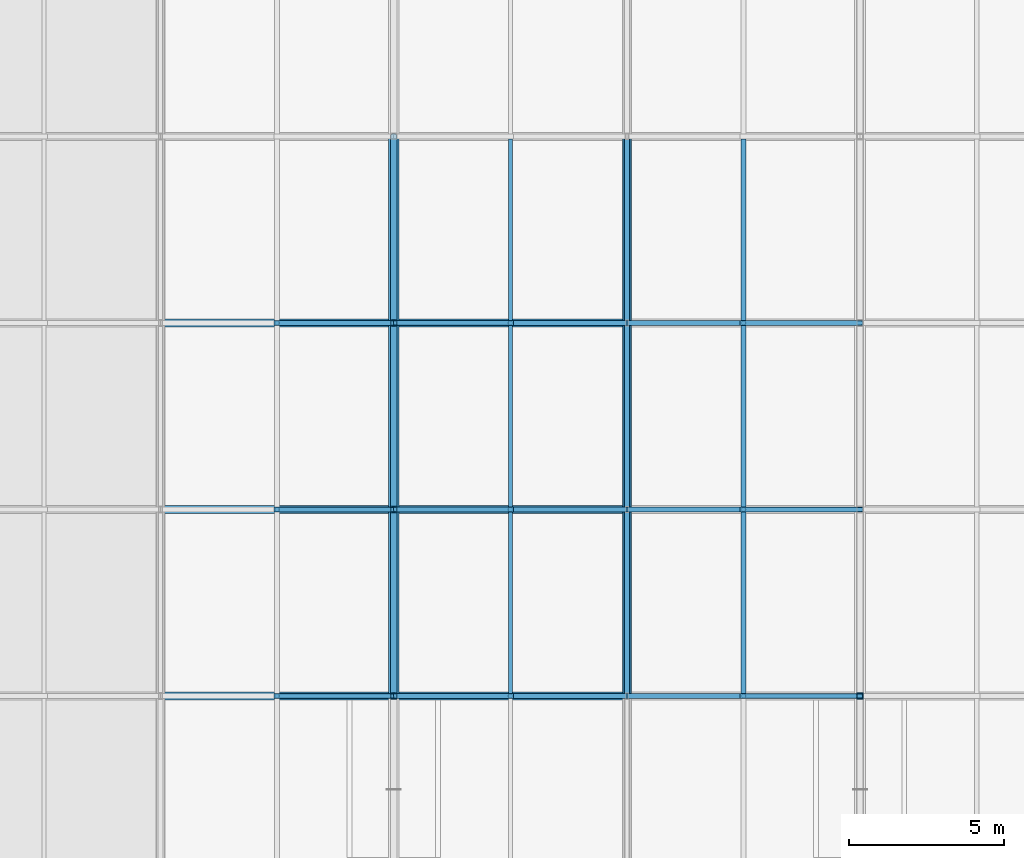
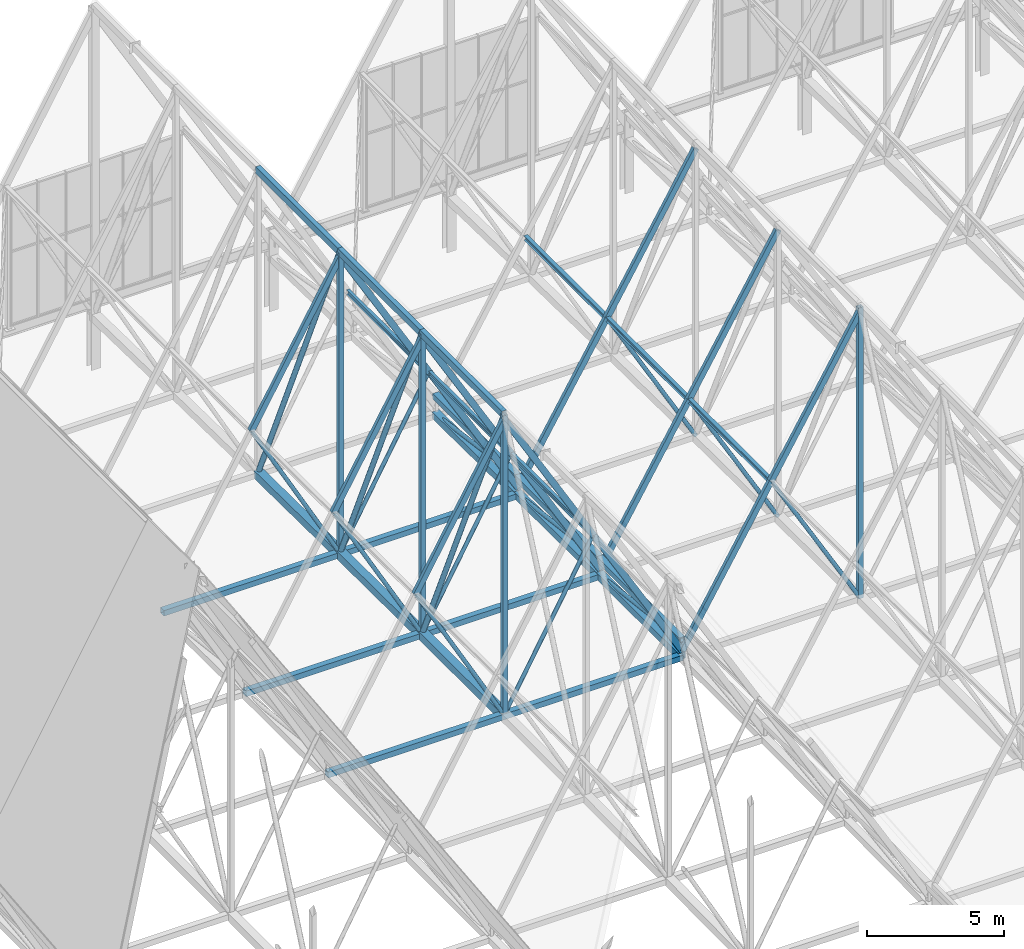
# One storey, part 159 of 324: 49 members, 6 beams.
"""IFC4 building model written with IfcOpenShell, lengths in metres."""

from ifc_helpers import new_model, si_unit, direction, frame, origin, origin_2d, place, context, subcontext, project, spatial, hollow_rectangle, hollow_circle, i_section, extrude, material, material_profile, profile_set, type_object, element, save


model = new_model("IFC4")

# Units and contexts
model_context = context("Model", 3, precision=1e-05, world=origin(), true_north=direction((0.0, 1.0)))
body_context = subcontext(model_context, "Body", "Model", "MODEL_VIEW")
ifc_project = project(units=[si_unit("LENGTHUNIT", "METRE"), si_unit("AREAUNIT", "SQUARE_METRE"), si_unit("VOLUMEUNIT", "CUBIC_METRE"), si_unit("PLANEANGLEUNIT", "RADIAN"), si_unit("MASSUNIT", "GRAM", prefix="KILO")], contexts=[model_context])

# Site, building, storey
site_placement = place(None, origin())
site = spatial("IfcSite", under=ifc_project, at=site_placement, CompositionType="ELEMENT")
building_placement = place(site_placement, origin())
building = spatial("IfcBuilding", under=site, at=building_placement, Name="Solvenia Promenade Tram Depot", CompositionType="ELEMENT")
storey_placement = place(building_placement, frame((0.0, 0.0, 4.5)))
storey = spatial("IfcBuildingStorey", under=building, at=storey_placement, Name="L01", CompositionType="ELEMENT", Elevation=4.5)

# Members
ifc_material_1 = material(Name="Structural steel ASTM A500 Gr. C", Category="steel")
ifc_material_profile_1 = material_profile(ifc_material_1, hollow_circle(Radius=0.109619140625, WallThickness=0.008056640625, at=origin_2d()), Name="CHS219.1x8", Category="steel")
ifc_profile_set_1 = profile_set([ifc_material_profile_1], Name="Structural steel ASTM A500 Gr. C")
member_type_1 = type_object("IfcMemberType", Name="Brace-CHS219x8", PredefinedType="BRACE", material=ifc_profile_set_1)
member_1_placement = place(storey_placement, frame((97.5, 102.0, 2.656005859375), z_axis=(0.0, -0.40785617385, 0.913046188017), x_axis=(1.0, 0.0, 0.0)))
element("IfcMember", 1, at=member_1_placement, inside=storey, type_object=member_type_1, Name="Arched Truss T14 Web Diagonal S06", PredefinedType="BRACE", context=body_context, shape_type="SweptSolid", body=[
    extrude(hollow_circle(Radius=0.109619140625, WallThickness=0.008056640625, at=origin_2d()), origin(), (0.0, 0.0, 1.0), 14.711181640625),
])
member_2_placement = place(storey_placement, frame((97.5, 108.0, 2.614013671875), z_axis=(0.0, -0.406795685275, 0.913519168076), x_axis=(1.0, 0.0, 0.0)))
element("IfcMember", 2, at=member_2_placement, inside=storey, type_object=member_type_1, Name="Arched Truss T14 Web Diagonal S07", PredefinedType="BRACE", context=body_context, shape_type="SweptSolid", body=[
    extrude(hollow_circle(Radius=0.109619140625, WallThickness=0.008056640625, at=origin_2d()), origin(), (0.0, 0.0, 1.0), 14.74951171875),
])
member_3_placement = place(storey_placement, frame((97.5, 114.0, 2.5439453125), z_axis=(0.0, -0.40503717219, 0.914300218279), x_axis=(1.0, 0.0, 0.0)))
element("IfcMember", 3, at=member_3_placement, inside=storey, type_object=member_type_1, Name="Arched Truss T14 Web Diagonal S08", PredefinedType="BRACE", context=body_context, shape_type="SweptSolid", body=[
    extrude(hollow_circle(Radius=0.109619140625, WallThickness=0.008056640625, at=origin_2d()), origin(), (0.0, 0.0, 1.0), 14.8134765625),
])
ifc_material_profile_2 = material_profile(ifc_material_1, hollow_rectangle(XDim=0.14990234375, YDim=0.25, WallThickness=0.010009765625, at=origin_2d()), Name="HSS250x150x10", Category="steel")
ifc_profile_set_2 = profile_set([ifc_material_profile_2], Name="Structural steel ASTM A500 Gr. C")
member_type_2 = type_object("IfcMemberType", Name="Chord-HSS250x150x10", PredefinedType="CHORD", material=ifc_profile_set_2)
for number, where, z_axis, x_axis, name in (
    (4, (93.75, 96.0, 9.39013671875), (0.501516268578, 0.0, 0.865148214095), (0.0, 1.0, 0.0), "Zigzag Gable 07 West Upper Rafter"),
    (5, (97.5, 96.0, 15.859130859375), (0.501516268578, 0.0, -0.865148214095), (0.0, 1.0, 0.0), "Zigzag Gable 07 East Upper Rafter"),
    (6, (101.25, 96.0, 9.39013671875), (0.501516268578, 0.0, -0.865148214095), (0.0, 1.0, 0.0), "Zigzag Gable 07 East Lower Rafter"),
    (7, (93.75, 102.0, 9.39013671875), (0.501516268578, 0.0, 0.865148214095), (0.0, 1.0, 0.0), "Zigzag Gable 07 West Upper Rafter"),
    (8, (97.5, 102.0, 15.859130859375), (0.501516268578, 0.0, -0.865148214095), (0.0, 1.0, 0.0), "Zigzag Gable 07 East Upper Rafter"),
    (9, (101.25, 102.0, 9.39013671875), (0.501516268578, 0.0, -0.865148214095), (0.0, 1.0, 0.0), "Zigzag Gable 07 East Lower Rafter"),
    (10, (93.75, 108.0, 9.39013671875), (0.501516268578, 0.0, 0.865148214095), (0.0, 1.0, 0.0), "Zigzag Gable 07 West Upper Rafter"),
    (11, (97.5, 108.0, 15.859130859375), (0.501516268578, 0.0, -0.865148214095), (0.0, 1.0, 0.0), "Zigzag Gable 07 East Upper Rafter"),
    (12, (101.25, 108.0, 9.39013671875), (0.501516268578, 0.0, -0.865148214095), (0.0, 1.0, 0.0), "Zigzag Gable 07 East Lower Rafter"),
):
    element("IfcMember", number, at=place(storey_placement, frame(where, z_axis=z_axis, x_axis=x_axis)), inside=storey, type_object=member_type_2, Name=name, PredefinedType="CHORD", context=body_context, shape_type="SweptSolid", body=[
        extrude(hollow_rectangle(XDim=0.14990234375, YDim=0.25, WallThickness=0.010009765625, at=origin_2d()), origin(), (0.0, 0.0, 1.0), 7.477294921875),
    ])
for number, where, z_axis, x_axis, name in (
    (13, (105.0, 96.0, 2.93017578125), (0.514584433357, 0.0, 0.857439712718), (0.0, 1.0, 0.0), "Zigzag Gable 08 West Lower Rafter"),
    (14, (108.75, 96.0, 9.1787109375), (0.514584433357, 0.0, 0.857439712718), (0.0, 1.0, 0.0), "Zigzag Gable 08 West Upper Rafter"),
    (15, (105.0, 102.0, 2.93017578125), (0.514584433357, 0.0, 0.857439712718), (0.0, 1.0, 0.0), "Zigzag Gable 08 West Lower Rafter"),
    (16, (108.75, 102.0, 9.1787109375), (0.514584433357, 0.0, 0.857439712718), (0.0, 1.0, 0.0), "Zigzag Gable 08 West Upper Rafter"),
    (17, (105.0, 108.0, 2.93017578125), (0.514584433357, 0.0, 0.857439712718), (0.0, 1.0, 0.0), "Zigzag Gable 08 West Lower Rafter"),
    (18, (108.75, 108.0, 9.1787109375), (0.514584433357, 0.0, 0.857439712718), (0.0, 1.0, 0.0), "Zigzag Gable 08 West Upper Rafter"),
):
    element("IfcMember", number, at=place(storey_placement, frame(where, z_axis=z_axis, x_axis=x_axis)), inside=storey, type_object=member_type_2, Name=name, PredefinedType="CHORD", context=body_context, shape_type="SweptSolid", body=[
        extrude(hollow_rectangle(XDim=0.14990234375, YDim=0.25, WallThickness=0.010009765625, at=origin_2d()), origin(), (0.0, 0.0, 1.0), 7.287353515625),
    ])
ifc_material_profile_3 = material_profile(ifc_material_1, hollow_rectangle(XDim=0.25, YDim=0.25, WallThickness=0.010009765625, at=origin_2d()), Name="HSS250x250x10", Category="steel")
ifc_profile_set_3 = profile_set([ifc_material_profile_3], Name="Structural steel ASTM A500 Gr. C")
member_type_3 = type_object("IfcMemberType", Name="Chord-HSS250x250x10", PredefinedType="CHORD", material=ifc_profile_set_3)
for number, where, z_axis, x_axis, name in (
    (19, (105.0, 96.0, 3.3798828125), (0.0, 1.0, 0.0), (-1.0, 0.0, 0.0), "Arched Truss T15 Upper Chord S06"),
    (20, (105.0, 102.0, 3.3798828125), (0.0, 1.0, 0.0), (-1.0, 0.0, 0.0), "Arched Truss T15 Upper Chord S07"),
    (21, (105.0, 108.0, 3.3798828125), (0.0, 1.0, 0.0), (-1.0, 0.0, 0.0), "Arched Truss T15 Upper Chord S08"),
):
    element("IfcMember", number, at=place(storey_placement, frame(where, z_axis=z_axis, x_axis=x_axis)), inside=storey, type_object=member_type_3, Name=name, PredefinedType="CHORD", context=body_context, shape_type="SweptSolid", body=[
        extrude(hollow_rectangle(XDim=0.25, YDim=0.25, WallThickness=0.010009765625, at=origin_2d()), origin(), (0.0, 0.0, 1.0), 6.0),
    ])
for number, where, z_axis, x_axis, name in (
    (22, (90.0, 96.0, 2.669921875), (1.0, 0.0, 0.0), (0.0, 1.0, 0.0), "Bottom-Chord Catenary Lateral Tie 059"),
    (23, (90.0, 102.0, 2.656005859375), (1.0, 0.0, 0.0), (0.0, 1.0, 0.0), "Bottom-Chord Catenary Lateral Tie 060"),
    (24, (90.0, 108.0, 2.614013671875), (1.0, 0.0, 0.0), (0.0, 1.0, 0.0), "Bottom-Chord Catenary Lateral Tie 061"),
):
    element("IfcMember", number, at=place(storey_placement, frame(where, z_axis=z_axis, x_axis=x_axis)), inside=storey, type_object=member_type_3, Name=name, PredefinedType="CHORD", context=body_context, shape_type="SweptSolid", body=[
        extrude(hollow_rectangle(XDim=0.25, YDim=0.25, WallThickness=0.010009765625, at=origin_2d()), origin(), (0.0, 0.0, 1.0), 15.0),
    ])
ifc_material_profile_4 = material_profile(ifc_material_1, hollow_rectangle(XDim=0.199951171875, YDim=0.300048828125, WallThickness=0.012451171875, at=origin_2d()), Name="HSS300x200x12.5", Category="steel")
ifc_profile_set_4 = profile_set([ifc_material_profile_4], Name="Structural steel ASTM A500 Gr. C")
member_type_4 = type_object("IfcMemberType", Name="Chord-HSS300x200x12", PredefinedType="CHORD", material=ifc_profile_set_4)
for number, where, z_axis, x_axis, name in (
    (25, (97.5, 96.0, 16.087890625), (0.0, 1.0, 0.0), (-1.0, 0.0, 0.0), "Arched Truss T14 Upper Chord S06"),
    (26, (97.5, 102.0, 16.087890625), (0.0, 1.0, 0.0), (-1.0, 0.0, 0.0), "Arched Truss T14 Upper Chord S07"),
    (27, (97.5, 108.0, 16.087890625), (0.0, 1.0, 0.0), (-1.0, 0.0, 0.0), "Arched Truss T14 Upper Chord S08"),
):
    element("IfcMember", number, at=place(storey_placement, frame(where, z_axis=z_axis, x_axis=x_axis)), inside=storey, type_object=member_type_4, Name=name, PredefinedType="CHORD", context=body_context, shape_type="SweptSolid", body=[
        extrude(hollow_rectangle(XDim=0.199951171875, YDim=0.300048828125, WallThickness=0.012451171875, at=origin_2d()), origin(), (0.0, 0.0, 1.0), 6.0),
    ])
ifc_material_profile_5 = material_profile(ifc_material_1, hollow_rectangle(XDim=0.300048828125, YDim=0.300048828125, WallThickness=0.012451171875, at=origin_2d()), Name="HSS300x300x12.5", Category="steel")
ifc_profile_set_5 = profile_set([ifc_material_profile_5], Name="Structural steel ASTM A500 Gr. C")
member_type_5 = type_object("IfcMemberType", Name="Chord-HSS300x300x12", PredefinedType="CHORD", material=ifc_profile_set_5)
member_4_placement = place(storey_placement, frame((105.0, 96.0, 2.669921875), z_axis=(0.0, 0.999997310351, -0.002319329699), x_axis=(-1.0, 0.0, 0.0)))
element("IfcMember", 28, at=member_4_placement, inside=storey, type_object=member_type_5, Name="Arched Truss T15 Bottom Chord S06", PredefinedType="CHORD", context=body_context, shape_type="SweptSolid", body=[
    extrude(hollow_rectangle(XDim=0.300048828125, YDim=0.300048828125, WallThickness=0.012451171875, at=origin_2d()), origin(), (0.0, 0.0, 1.0), 6.0),
])
member_5_placement = place(storey_placement, frame((105.0, 102.0, 2.656005859375), z_axis=(0.0, 0.999975510013, -0.006998526519), x_axis=(-1.0, 0.0, 0.0)))
element("IfcMember", 29, at=member_5_placement, inside=storey, type_object=member_type_5, Name="Arched Truss T15 Bottom Chord S07", PredefinedType="CHORD", context=body_context, shape_type="SweptSolid", body=[
    extrude(hollow_rectangle(XDim=0.300048828125, YDim=0.300048828125, WallThickness=0.012451171875, at=origin_2d()), origin(), (0.0, 0.0, 1.0), 6.000244140625),
])
member_6_placement = place(storey_placement, frame((105.0, 108.0, 2.614013671875), z_axis=(0.0, 0.999931818432, -0.011677263667), x_axis=(-1.0, 0.0, 0.0)))
element("IfcMember", 30, at=member_6_placement, inside=storey, type_object=member_type_5, Name="Arched Truss T15 Bottom Chord S08", PredefinedType="CHORD", context=body_context, shape_type="SweptSolid", body=[
    extrude(hollow_rectangle(XDim=0.300048828125, YDim=0.300048828125, WallThickness=0.012451171875, at=origin_2d()), origin(), (0.0, 0.0, 1.0), 6.00048828125),
])
ifc_material_profile_6 = material_profile(ifc_material_1, hollow_rectangle(XDim=0.35009765625, YDim=0.35009765625, WallThickness=0.01611328125, at=origin_2d()), Name="HSS350x350x16", Category="steel")
ifc_profile_set_6 = profile_set([ifc_material_profile_6], Name="Structural steel ASTM A500 Gr. C")
member_type_6 = type_object("IfcMemberType", Name="Chord-HSS350x350x16", PredefinedType="CHORD", material=ifc_profile_set_6)
member_7_placement = place(storey_placement, frame((97.5, 96.0, 2.669921875), z_axis=(0.0, 0.999997310351, -0.002319329699), x_axis=(-1.0, 0.0, 0.0)))
element("IfcMember", 31, at=member_7_placement, inside=storey, type_object=member_type_6, Name="Arched Truss T14 Bottom Chord S06", PredefinedType="CHORD", context=body_context, shape_type="SweptSolid", body=[
    extrude(hollow_rectangle(XDim=0.35009765625, YDim=0.35009765625, WallThickness=0.01611328125, at=origin_2d()), origin(), (0.0, 0.0, 1.0), 6.0),
])
member_8_placement = place(storey_placement, frame((97.5, 102.0, 2.656005859375), z_axis=(0.0, 0.999975510013, -0.006998526519), x_axis=(-1.0, 0.0, 0.0)))
element("IfcMember", 32, at=member_8_placement, inside=storey, type_object=member_type_6, Name="Arched Truss T14 Bottom Chord S07", PredefinedType="CHORD", context=body_context, shape_type="SweptSolid", body=[
    extrude(hollow_rectangle(XDim=0.35009765625, YDim=0.35009765625, WallThickness=0.01611328125, at=origin_2d()), origin(), (0.0, 0.0, 1.0), 6.000244140625),
])
member_9_placement = place(storey_placement, frame((97.5, 108.0, 2.614013671875), z_axis=(0.0, 0.999931818432, -0.011677263667), x_axis=(-1.0, 0.0, 0.0)))
element("IfcMember", 33, at=member_9_placement, inside=storey, type_object=member_type_6, Name="Arched Truss T14 Bottom Chord S08", PredefinedType="CHORD", context=body_context, shape_type="SweptSolid", body=[
    extrude(hollow_rectangle(XDim=0.35009765625, YDim=0.35009765625, WallThickness=0.01611328125, at=origin_2d()), origin(), (0.0, 0.0, 1.0), 6.00048828125),
])
ifc_material_profile_7 = material_profile(ifc_material_1, hollow_rectangle(XDim=0.199951171875, YDim=0.199951171875, WallThickness=0.010009765625, at=origin_2d()), Name="HSS200x200x10", Category="steel")
ifc_profile_set_7 = profile_set([ifc_material_profile_7], Name="Structural steel ASTM A500 Gr. C")
member_type_7 = type_object("IfcMemberType", Name="Post-HSS200x200x10", PredefinedType="POST", material=ifc_profile_set_7)
member_10_placement = place(storey_placement, frame((97.5, 96.0, 2.669921875), z_axis=(0.0, 0.0, 1.0), x_axis=(1.0, 0.0, 0.0)))
element("IfcMember", 34, at=member_10_placement, inside=storey, type_object=member_type_7, Name="Arched Truss T14 Web Post S05", PredefinedType="POST", context=body_context, shape_type="SweptSolid", body=[
    extrude(hollow_rectangle(XDim=0.199951171875, YDim=0.199951171875, WallThickness=0.010009765625, at=origin_2d()), origin(), (0.0, 0.0, 1.0), 13.41796875),
])
member_11_placement = place(storey_placement, frame((97.5, 102.0, 2.656005859375), z_axis=(0.0, 0.0, 1.0), x_axis=(1.0, 0.0, 0.0)))
element("IfcMember", 35, at=member_11_placement, inside=storey, type_object=member_type_7, Name="Arched Truss T14 Web Post S06", PredefinedType="POST", context=body_context, shape_type="SweptSolid", body=[
    extrude(hollow_rectangle(XDim=0.199951171875, YDim=0.199951171875, WallThickness=0.010009765625, at=origin_2d()), origin(), (0.0, 0.0, 1.0), 13.431884765625),
])
member_12_placement = place(storey_placement, frame((97.5, 108.0, 2.614013671875), z_axis=(0.0, 0.0, 1.0), x_axis=(1.0, 0.0, 0.0)))
element("IfcMember", 36, at=member_12_placement, inside=storey, type_object=member_type_7, Name="Arched Truss T14 Web Post S07", PredefinedType="POST", context=body_context, shape_type="SweptSolid", body=[
    extrude(hollow_rectangle(XDim=0.199951171875, YDim=0.199951171875, WallThickness=0.010009765625, at=origin_2d()), origin(), (0.0, 0.0, 1.0), 13.473876953125),
])
member_13_placement = place(storey_placement, frame((112.5, 96.0, 2.669921875), z_axis=(0.0, 0.0, 1.0), x_axis=(1.0, 0.0, 0.0)))
element("IfcMember", 37, at=member_13_placement, inside=storey, type_object=member_type_7, Name="Arched Truss T16 Web Post S05", PredefinedType="POST", context=body_context, shape_type="SweptSolid", body=[
    extrude(hollow_rectangle(XDim=0.199951171875, YDim=0.199951171875, WallThickness=0.010009765625, at=origin_2d()), origin(), (0.0, 0.0, 1.0), 12.97705078125),
])

# Beams
ifc_material_2 = material(Name="Structural steel ASTM A992 Gr. 50", Category="steel")
ifc_material_profile_8 = material_profile(ifc_material_2, i_section(OverallWidth=0.133056640625, OverallDepth=0.20703125, WebThickness=0.005859375, FlangeThickness=0.00830078125, FilletRadius=0.009033203125, at=origin_2d()), Name="W200x27", Category="steel")
ifc_profile_set_8 = profile_set([ifc_material_profile_8], Name="Structural steel ASTM A992 Gr. 50")
beam_type_1 = type_object("IfcBeamType", Name="Purlin-W200x27", PredefinedType="USERDEFINED", material=ifc_profile_set_8)
for number, where, z_axis, x_axis, name in (
    (38, (101.25, 96.0849609375, 9.375732421875), (0.0, 1.0, 0.0), (-1.0, 0.0, 0.0), "Gable Roof Purlin E-0132"),
    (39, (101.25, 102.0849609375, 9.375732421875), (0.0, 1.0, 0.0), (-1.0, 0.0, 0.0), "Gable Roof Purlin E-0134"),
    (40, (101.25, 108.0849609375, 9.375732421875), (0.0, 1.0, 0.0), (-1.0, 0.0, 0.0), "Gable Roof Purlin E-0136"),
):
    element("IfcBeam", number, at=place(storey_placement, frame(where, z_axis=z_axis, x_axis=x_axis)), inside=storey, type_object=beam_type_1, Name=name, ObjectType="PURLIN", PredefinedType="USERDEFINED", context=body_context, shape_type="SweptSolid", body=[
        extrude(i_section(OverallWidth=0.133056640625, OverallDepth=0.20703125, WebThickness=0.005859375, FlangeThickness=0.00830078125, FilletRadius=0.009033203125, at=origin_2d()), origin(), (0.0, 0.0, 1.0), 5.830078125),
    ])
ifc_material_profile_9 = material_profile(ifc_material_2, i_section(OverallWidth=0.1650390625, OverallDepth=0.200927734375, WebThickness=0.006103515625, FlangeThickness=0.01025390625, FilletRadius=0.010009765625, at=origin_2d()), Name="W200x36", Category="steel")
ifc_profile_set_9 = profile_set([ifc_material_profile_9], Name="Structural steel ASTM A992 Gr. 50")
beam_type_2 = type_object("IfcBeamType", Name="Purlin-W200x36", PredefinedType="USERDEFINED", material=ifc_profile_set_9)
for number, where, z_axis, x_axis, name in (
    (41, (108.75, 96.0849609375, 9.169677734375), (0.0, 1.0, 0.0), (-1.0, 0.0, 0.0), "Gable Roof Purlin W-0151"),
    (42, (108.75, 102.0849609375, 9.169677734375), (0.0, 1.0, 0.0), (-1.0, 0.0, 0.0), "Gable Roof Purlin W-0153"),
    (43, (108.75, 108.0849609375, 9.169677734375), (0.0, 1.0, 0.0), (-1.0, 0.0, 0.0), "Gable Roof Purlin W-0155"),
):
    element("IfcBeam", number, at=place(storey_placement, frame(where, z_axis=z_axis, x_axis=x_axis)), inside=storey, type_object=beam_type_2, Name=name, ObjectType="PURLIN", PredefinedType="USERDEFINED", context=body_context, shape_type="SweptSolid", body=[
        extrude(i_section(OverallWidth=0.1650390625, OverallDepth=0.200927734375, WebThickness=0.006103515625, FlangeThickness=0.01025390625, FilletRadius=0.010009765625, at=origin_2d()), origin(), (0.0, 0.0, 1.0), 5.830078125),
    ])

# Members
ifc_material_profile_10 = material_profile(ifc_material_1, hollow_circle(Radius=0.084228515625, WallThickness=0.008056640625, at=origin_2d()), Name="CHS168.3x8", Category="steel")
ifc_profile_set_10 = profile_set([ifc_material_profile_10], Name="Structural steel ASTM A500 Gr. C")
member_type_8 = type_object("IfcMemberType", Name="WebDiag-CHS168x8", PredefinedType="BRACE", material=ifc_profile_set_10)
member_14_placement = place(storey_placement, frame((105.0, 102.0, 2.656005859375), z_axis=(0.0, -0.992800749036, 0.119777596879), x_axis=(1.0, 0.0, 0.0)))
element("IfcMember", 44, at=member_14_placement, inside=storey, type_object=member_type_8, Name="Arched Truss T15 Web Diagonal S06", PredefinedType="BRACE", context=body_context, shape_type="SweptSolid", body=[
    extrude(hollow_circle(Radius=0.084228515625, WallThickness=0.008056640625, at=origin_2d()), origin(), (0.0, 0.0, 1.0), 6.04345703125),
])
member_15_placement = place(storey_placement, frame((105.0, 108.0, 2.614013671875), z_axis=(0.0, -0.991951613347, 0.126617521609), x_axis=(1.0, 0.0, 0.0)))
element("IfcMember", 45, at=member_15_placement, inside=storey, type_object=member_type_8, Name="Arched Truss T15 Web Diagonal S07", PredefinedType="BRACE", context=body_context, shape_type="SweptSolid", body=[
    extrude(hollow_circle(Radius=0.084228515625, WallThickness=0.008056640625, at=origin_2d()), origin(), (0.0, 0.0, 1.0), 6.048583984375),
])
member_16_placement = place(storey_placement, frame((105.0, 114.0, 2.5439453125), z_axis=(0.0, -0.990433608353, 0.13799009908), x_axis=(1.0, 0.0, 0.0)))
element("IfcMember", 46, at=member_16_placement, inside=storey, type_object=member_type_8, Name="Arched Truss T15 Web Diagonal S08", PredefinedType="BRACE", context=body_context, shape_type="SweptSolid", body=[
    extrude(hollow_circle(Radius=0.084228515625, WallThickness=0.008056640625, at=origin_2d()), origin(), (0.0, 0.0, 1.0), 6.057861328125),
])
for number, where, z_axis, x_axis, name in (
    (47, (97.5, 96.0, 2.669921875), (-0.48728515229, 0.0, 0.873242910282), (0.0, -1.0, 0.0), "Zigzag Gable 07 West Knee Strut"),
    (48, (97.5, 96.0, 2.669921875), (0.48728515229, 0.0, 0.873242910282), (0.0, 1.0, 0.0), "Zigzag Gable 07 East Knee Strut"),
):
    element("IfcMember", number, at=place(storey_placement, frame(where, z_axis=z_axis, x_axis=x_axis)), inside=storey, type_object=member_type_8, Name=name, PredefinedType="BRACE", context=body_context, shape_type="SweptSolid", body=[
        extrude(hollow_circle(Radius=0.084228515625, WallThickness=0.008056640625, at=origin_2d()), origin(), (0.0, 0.0, 1.0), 7.69580078125),
    ])
for number, where, z_axis, x_axis, name in (
    (49, (97.5, 102.0, 2.656005859375), (-0.486516718868, 0.0, 0.873671266702), (0.0, -1.0, 0.0), "Zigzag Gable 07 West Knee Strut"),
    (50, (97.5, 102.0, 2.656005859375), (0.486516718868, 0.0, 0.873671266702), (0.0, 1.0, 0.0), "Zigzag Gable 07 East Knee Strut"),
):
    element("IfcMember", number, at=place(storey_placement, frame(where, z_axis=z_axis, x_axis=x_axis)), inside=storey, type_object=member_type_8, Name=name, PredefinedType="BRACE", context=body_context, shape_type="SweptSolid", body=[
        extrude(hollow_circle(Radius=0.084228515625, WallThickness=0.008056640625, at=origin_2d()), origin(), (0.0, 0.0, 1.0), 7.707763671875),
    ])
for number, where, z_axis, x_axis, name in (
    (51, (97.5, 108.0, 2.614013671875), (-0.484210311814, 0.0, 0.874951640911), (0.0, -1.0, 0.0), "Zigzag Gable 07 West Knee Strut"),
    (52, (97.5, 108.0, 2.614013671875), (0.484210311814, 0.0, 0.874951640911), (0.0, 1.0, 0.0), "Zigzag Gable 07 East Knee Strut"),
):
    element("IfcMember", number, at=place(storey_placement, frame(where, z_axis=z_axis, x_axis=x_axis)), inside=storey, type_object=member_type_8, Name=name, PredefinedType="BRACE", context=body_context, shape_type="SweptSolid", body=[
        extrude(hollow_circle(Radius=0.084228515625, WallThickness=0.008056640625, at=origin_2d()), origin(), (0.0, 0.0, 1.0), 7.74462890625),
    ])
member_17_placement = place(storey_placement, frame((112.5, 96.0, 2.669921875), z_axis=(-0.499215914633, 0.0, 0.866477622664), x_axis=(0.0, -1.0, 0.0)))
element("IfcMember", 53, at=member_17_placement, inside=storey, type_object=member_type_8, Name="Zigzag Gable 08 West Knee Strut", PredefinedType="BRACE", context=body_context, shape_type="SweptSolid", body=[
    extrude(hollow_circle(Radius=0.084228515625, WallThickness=0.008056640625, at=origin_2d()), origin(), (0.0, 0.0, 1.0), 7.51171875),
])
member_18_placement = place(storey_placement, frame((112.5, 102.0, 2.656005859375), z_axis=(-0.498415644551, 0.0, 0.866938201527), x_axis=(0.0, -1.0, 0.0)))
element("IfcMember", 54, at=member_18_placement, inside=storey, type_object=member_type_8, Name="Zigzag Gable 08 West Knee Strut", PredefinedType="BRACE", context=body_context, shape_type="SweptSolid", body=[
    extrude(hollow_circle(Radius=0.084228515625, WallThickness=0.008056640625, at=origin_2d()), origin(), (0.0, 0.0, 1.0), 7.52392578125),
])
member_19_placement = place(storey_placement, frame((112.5, 108.0, 2.614013671875), z_axis=(-0.496013737424, 0.0, 0.868314673541), x_axis=(0.0, -1.0, 0.0)))
element("IfcMember", 55, at=member_19_placement, inside=storey, type_object=member_type_8, Name="Zigzag Gable 08 West Knee Strut", PredefinedType="BRACE", context=body_context, shape_type="SweptSolid", body=[
    extrude(hollow_circle(Radius=0.084228515625, WallThickness=0.008056640625, at=origin_2d()), origin(), (0.0, 0.0, 1.0), 7.560302734375),
])

save(model, "model.ifc")
